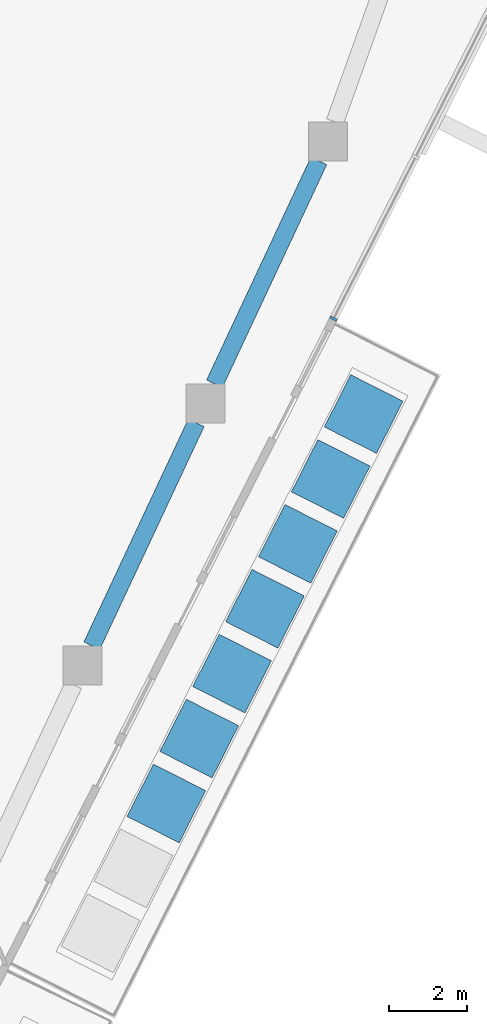
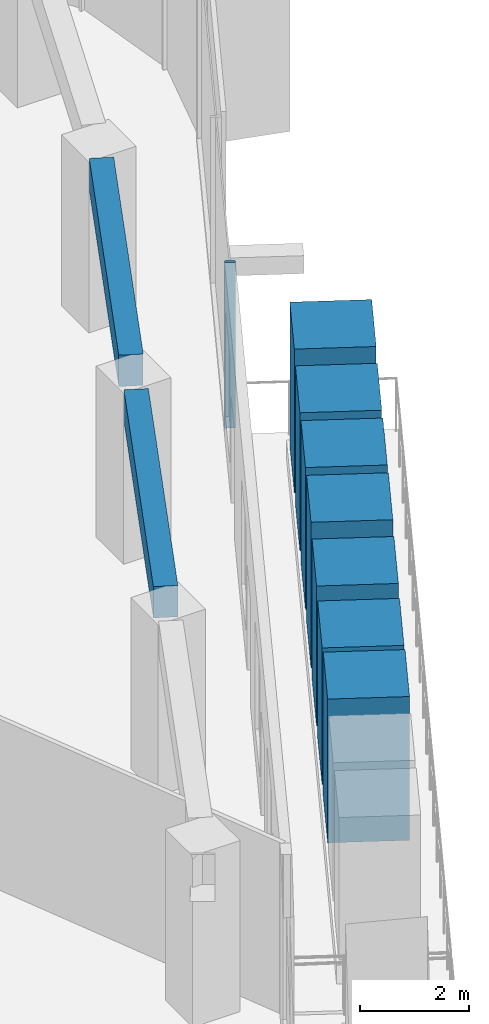
# One storey, part 5 of 23: 8 members, 2 beams, 1 element without a shape of its own.
"""IFC4 building model written with IfcOpenShell, lengths in metres."""

from ifc_helpers import new_model, si_unit, direction, frame, origin, origin_2d, place, context, subcontext, project, spatial, rectangle, extrude, material, layer, layer_set, material_profile, profile_set, type_object, element, aggregate, save


model = new_model("IFC4")

# Units and contexts
model_context = context("Model", 3, precision=1e-05, world=origin(), true_north=direction((0.0, 1.0)))
body_context = subcontext(model_context, "Body", "Model", "MODEL_VIEW")
ifc_project = project(units=[si_unit("LENGTHUNIT", "METRE"), si_unit("AREAUNIT", "SQUARE_METRE"), si_unit("VOLUMEUNIT", "CUBIC_METRE"), si_unit("PLANEANGLEUNIT", "RADIAN"), si_unit("MASSUNIT", "GRAM", prefix="KILO")], contexts=[model_context])

# Site, building, storey
site_placement = place(None, origin())
site = spatial("IfcSite", under=ifc_project, at=site_placement, CompositionType="ELEMENT")
building_placement = place(site_placement, origin())
building = spatial("IfcBuilding", under=site, at=building_placement, Name="Dongbaek Canopy Tower", CompositionType="ELEMENT")
storey_placement = place(building_placement, frame((0.0, 0.0, 323.60009765625)))
storey = spatial("IfcBuildingStorey", under=building, at=storey_placement, Name="L69", CompositionType="ELEMENT", Elevation=323.60009765625)

# Curtain wall, member
ifc_material_1 = material(Name="Aluminium 6063-T6 pale anodised", Category="aluminium")
ifc_layer = layer(ifc_material_1, 0.199951171875)
ifc_layer_set = layer_set([ifc_layer], Name="CW-1 unitised tower curtain wall")
curtain_wall_type = type_object("IfcCurtainWallType", Name="CW-1 unitised tower curtain wall", PredefinedType="NOTDEFINED", material=ifc_layer_set)
curtain_wall_placement = place(storey_placement, origin())
curtain_wall = element("IfcCurtainWall", 1, at=curtain_wall_placement, inside=storey, type_object=curtain_wall_type, Name="CW-1 curtain wall F5.1", PredefinedType="NOTDEFINED")
ifc_material_2 = material(Name="Aluminium 6063-T6 pale anodised", Category="aluminium")
ifc_material_profile_1 = material_profile(ifc_material_2, rectangle(XDim=0.199951171875, YDim=0.06005859375, at=origin_2d()), Name="CW-1 mullion 60 x 200")
ifc_profile_set_1 = profile_set([ifc_material_profile_1], Name="Aluminium 6063-T6 pale anodised")
member_type_1 = type_object("IfcMemberType", Name="CW-1 mullion 60 x 200", PredefinedType="MULLION", material=ifc_profile_set_1)
member_1_placement = place(storey_placement, frame((28.495361328125, -4.710693359375, 0.119873046875), z_axis=(0.0, 0.0, 1.0), x_axis=(0.892033145359, -0.451969985266, 0.0)))
member_1 = element("IfcMember", 2, at=member_1_placement, type_object=member_type_1, Name="CW-1 mullion F5.1.1", PredefinedType="MULLION", context=body_context, shape_type="SweptSolid", body=[
    extrude(rectangle(XDim=0.199951171875, YDim=0.06005859375, at=origin_2d()), origin(), (0.0, 0.0, 1.0), 3.699951171875),
])
aggregate(curtain_wall, [member_1])

# Beams
ifc_material_3 = material(Name="Concrete C60", Category="concrete")
ifc_material_profile_2 = material_profile(ifc_material_3, rectangle(XDim=0.449951171875, YDim=0.699951171875, at=origin_2d()), Name="RC EDGE BEAM 450x700 C60")
ifc_profile_set_2 = profile_set([ifc_material_profile_2], Name="Concrete C60")
beam_type = type_object("IfcBeamType", Name="RC EDGE BEAM 450x700 C60", PredefinedType="BEAM", material=ifc_profile_set_2)
beam_1_placement = place(storey_placement, frame((28.116943359375, -0.669921875, 3.469970703125), z_axis=(-0.42401310583, -0.905656052861, 0.0), x_axis=(0.905656052861, -0.42401310583, 0.0)))
element("IfcBeam", 3, at=beam_1_placement, inside=storey, type_object=beam_type, Name="EDGEBEAM:L69:22", PredefinedType="BEAM", context=body_context, shape_type="SweptSolid", body=[
    extrude(rectangle(XDim=0.449951171875, YDim=0.699951171875, at=origin_2d()), origin(), (0.0, 0.0, 1.0), 6.3037109375),
])
beam_2_placement = place(storey_placement, frame((24.975830078125, -7.37890625, 3.469970703125), z_axis=(-0.424108398663, -0.905611432229, 0.0), x_axis=(0.905611432229, -0.424108398663, 0.0)))
element("IfcBeam", 4, at=beam_2_placement, inside=storey, type_object=beam_type, Name="EDGEBEAM:L69:23", PredefinedType="BEAM", context=body_context, shape_type="SweptSolid", body=[
    extrude(rectangle(XDim=0.449951171875, YDim=0.699951171875, at=origin_2d()), origin(), (0.0, 0.0, 1.0), 6.303955078125),
])

# Members
ifc_material_4 = material(Name="Concrete C40/50 planter mass with planting", Category="concrete")
ifc_material_profile_3 = material_profile(ifc_material_4, rectangle(XDim=1.5, YDim=1.5, at=origin_2d()), Name="Terrace PLANTER shrub mass 1500 x 1500")
ifc_profile_set_3 = profile_set([ifc_material_profile_3], Name="Concrete C40/50 planter mass with planting")
member_type_2 = type_object("IfcMemberType", Name="Terrace PLANTER shrub mass 1500 x 1500", PredefinedType="USERDEFINED", material=ifc_profile_set_3)
member_2_placement = place(storey_placement, frame((24.211181640625, -17.126708984375, 0.419921875), z_axis=(0.0, 0.0, 1.0), x_axis=(0.892033145359, -0.451969985266, 0.0)))
element("IfcMember", 5, at=member_2_placement, inside=storey, type_object=member_type_2, Name="Planter shrubs L69 4.3", ObjectType="PLANTER", PredefinedType="USERDEFINED", context=body_context, shape_type="SweptSolid", body=[
    extrude(rectangle(XDim=1.5, YDim=1.5, at=origin_2d()), origin(), (0.0, 0.0, 1.0), 3.2099609375),
])
member_3_placement = place(storey_placement, frame((25.053466796875, -15.46435546875, 0.419921875), z_axis=(0.0, 0.0, 1.0), x_axis=(0.892033145359, -0.451969985266, 0.0)))
element("IfcMember", 6, at=member_3_placement, inside=storey, type_object=member_type_2, Name="Planter shrubs L69 4.4", ObjectType="PLANTER", PredefinedType="USERDEFINED", context=body_context, shape_type="SweptSolid", body=[
    extrude(rectangle(XDim=1.5, YDim=1.5, at=origin_2d()), origin(), (0.0, 0.0, 1.0), 3.050048828125),
])
member_4_placement = place(storey_placement, frame((25.8955078125, -13.80224609375, 0.419921875), z_axis=(0.0, 0.0, 1.0), x_axis=(0.892033145359, -0.451969985266, 0.0)))
element("IfcMember", 7, at=member_4_placement, inside=storey, type_object=member_type_2, Name="Planter shrubs L69 4.5", ObjectType="PLANTER", PredefinedType="USERDEFINED", context=body_context, shape_type="SweptSolid", body=[
    extrude(rectangle(XDim=1.5, YDim=1.5, at=origin_2d()), origin(), (0.0, 0.0, 1.0), 3.1298828125),
])
member_5_placement = place(storey_placement, frame((26.73779296875, -12.14013671875, 0.419921875), z_axis=(0.0, 0.0, 1.0), x_axis=(0.892033145359, -0.451969985266, 0.0)))
element("IfcMember", 8, at=member_5_placement, inside=storey, type_object=member_type_2, Name="Planter shrubs L69 4.6", ObjectType="PLANTER", PredefinedType="USERDEFINED", context=body_context, shape_type="SweptSolid", body=[
    extrude(rectangle(XDim=1.5, YDim=1.5, at=origin_2d()), origin(), (0.0, 0.0, 1.0), 3.25),
])
member_6_placement = place(storey_placement, frame((27.579833984375, -10.47802734375, 0.419921875), z_axis=(0.0, 0.0, 1.0), x_axis=(0.892033145359, -0.451969985266, 0.0)))
element("IfcMember", 9, at=member_6_placement, inside=storey, type_object=member_type_2, Name="Planter shrubs L69 4.7", ObjectType="PLANTER", PredefinedType="USERDEFINED", context=body_context, shape_type="SweptSolid", body=[
    extrude(rectangle(XDim=1.5, YDim=1.5, at=origin_2d()), origin(), (0.0, 0.0, 1.0), 3.169921875),
])
member_7_placement = place(storey_placement, frame((28.422119140625, -8.81591796875, 0.419921875), z_axis=(0.0, 0.0, 1.0), x_axis=(0.892033145359, -0.451969985266, 0.0)))
element("IfcMember", 10, at=member_7_placement, inside=storey, type_object=member_type_2, Name="Planter shrubs L69 4.8", ObjectType="PLANTER", PredefinedType="USERDEFINED", context=body_context, shape_type="SweptSolid", body=[
    extrude(rectangle(XDim=1.5, YDim=1.5, at=origin_2d()), origin(), (0.0, 0.0, 1.0), 3.090087890625),
])
member_8_placement = place(storey_placement, frame((29.26416015625, -7.15380859375, 0.419921875), z_axis=(0.0, 0.0, 1.0), x_axis=(0.892033145359, -0.451969985266, 0.0)))
element("IfcMember", 11, at=member_8_placement, inside=storey, type_object=member_type_2, Name="Planter shrubs L69 4.9", ObjectType="PLANTER", PredefinedType="USERDEFINED", context=body_context, shape_type="SweptSolid", body=[
    extrude(rectangle(XDim=1.5, YDim=1.5, at=origin_2d()), origin(), (0.0, 0.0, 1.0), 3.2099609375),
])

save(model, "model.ifc")
